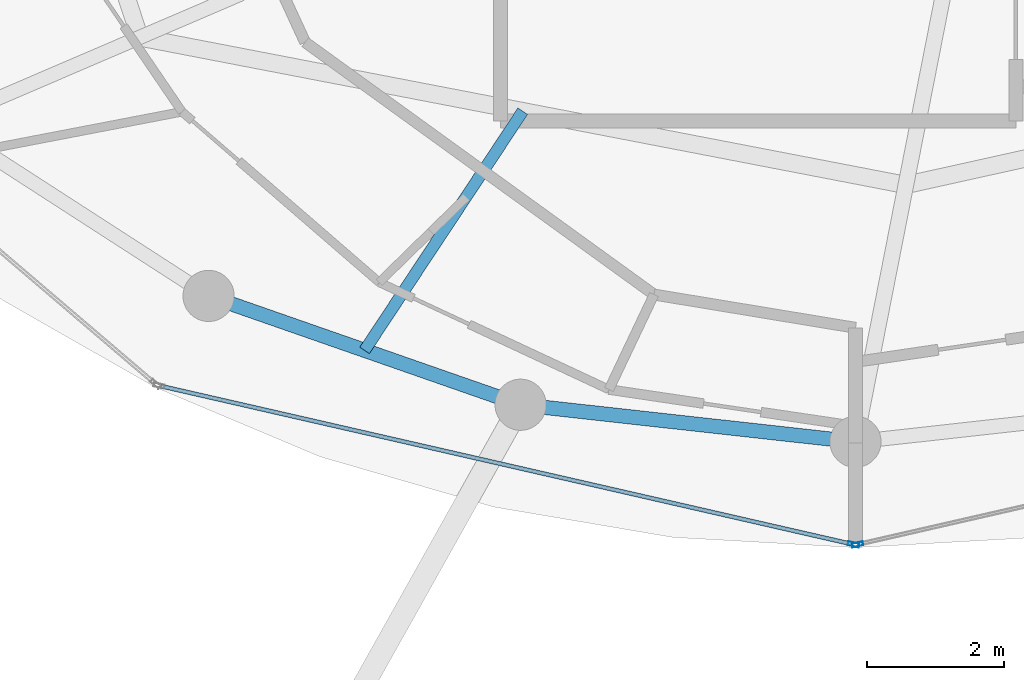
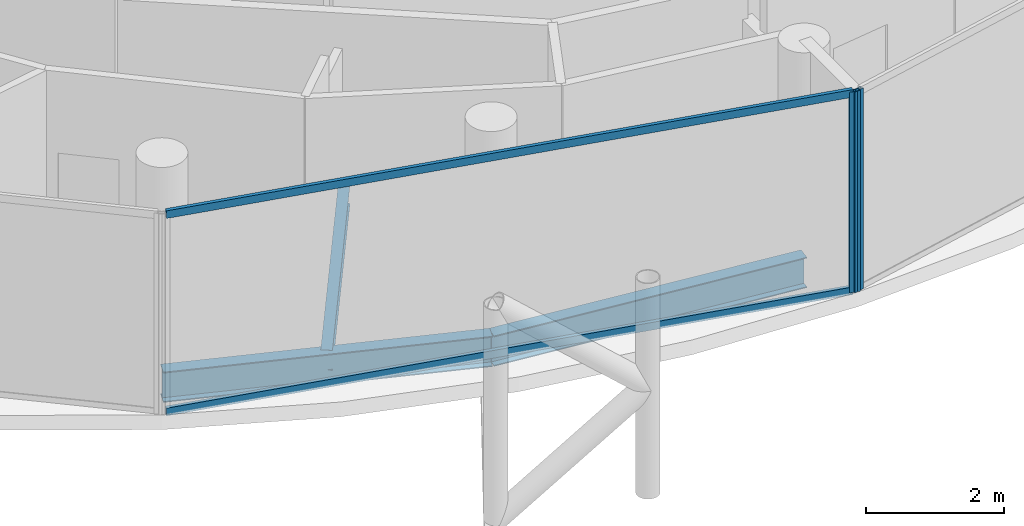
# One storey, part 4 of 24: 4 members, 3 beams, 2 elements without a shape of their own.
"""IFC4 building model written with IfcOpenShell, lengths in metres."""

from ifc_helpers import new_model, si_unit, direction, frame, origin, origin_2d, place, context, subcontext, project, spatial, hollow_rectangle, i_section, extrude, material, layer, layer_set, material_profile, profile_set, type_object, element, aggregate, save


model = new_model("IFC4")

# Units and contexts
model_context = context("Model", 3, precision=1e-05, world=origin(), true_north=direction((0.0, 1.0)))
body_context = subcontext(model_context, "Body", "Model", "MODEL_VIEW")
ifc_project = project(units=[si_unit("LENGTHUNIT", "METRE"), si_unit("AREAUNIT", "SQUARE_METRE"), si_unit("VOLUMEUNIT", "CUBIC_METRE"), si_unit("PLANEANGLEUNIT", "RADIAN"), si_unit("MASSUNIT", "GRAM", prefix="KILO")], contexts=[model_context])

# Site, building, storey
site_placement = place(None, origin())
site = spatial("IfcSite", under=ifc_project, at=site_placement, CompositionType="ELEMENT")
building_placement = place(site_placement, origin())
building = spatial("IfcBuilding", under=site, at=building_placement, Name="Nuhasar Tower", CompositionType="ELEMENT")
storey_placement = place(building_placement, frame((0.0, 0.0, 293.60009765625)))
storey = spatial("IfcBuildingStorey", under=building, at=storey_placement, Name="L73", CompositionType="ELEMENT", Elevation=293.60009765625)

# Beams
ifc_material_1 = material(Name="Steel S355", Category="steel")
ifc_material_profile_1 = material_profile(ifc_material_1, i_section(OverallWidth=0.1708984375, OverallDepth=0.35205078125, WebThickness=0.0068359375, FlangeThickness=0.009765625, at=origin_2d()), Name="W14X30")
ifc_profile_set_1 = profile_set([ifc_material_profile_1], Name="Steel S355")
beam_type_1 = type_object("IfcBeamType", Name="BM-JST-W14X30", PredefinedType="JOIST", material=ifc_profile_set_1)
beam_1_placement = place(storey_placement, frame((34.126953125, 15.693115234375, -0.43603515625), z_axis=(-0.551638003526, -0.834083636733, 0.0), x_axis=(0.834083636733, -0.551638003526, 0.0)))
element("IfcBeam", 1, at=beam_1_placement, inside=storey, type_object=beam_type_1, Name="L73 Secondary Floor Joist 01", PredefinedType="JOIST", context=body_context, shape_type="SweptSolid", body=[
    extrude(i_section(OverallWidth=0.1708984375, OverallDepth=0.35205078125, WebThickness=0.0068359375, FlangeThickness=0.009765625, at=origin_2d()), origin(), (0.0, 0.0, 1.0), 4.199951171875),
])
ifc_material_profile_2 = material_profile(ifc_material_1, i_section(OverallWidth=0.2099609375, OverallDepth=0.537109375, WebThickness=0.010986328125, FlangeThickness=0.017333984375, at=origin_2d()), Name="W21X68")
ifc_profile_set_2 = profile_set([ifc_material_profile_2], Name="Steel S355")
beam_type_2 = type_object("IfcBeamType", Name="BM-RING-W21X68", PredefinedType="SPANDREL", material=ifc_profile_set_2)
beam_2_placement = place(storey_placement, frame((29.52490234375, 12.987060546875, -0.529052734375), z_axis=(0.944214043504, -0.329332415729, 0.0), x_axis=(0.329332415729, 0.944214043504, 0.0)))
element("IfcBeam", 2, at=beam_2_placement, inside=storey, type_object=beam_type_2, Name="L73 Perimeter Ring Spandrel 17", PredefinedType="SPANDREL", context=body_context, shape_type="SweptSolid", body=[
    extrude(i_section(OverallWidth=0.2099609375, OverallDepth=0.537109375, WebThickness=0.010986328125, FlangeThickness=0.017333984375, at=origin_2d()), origin(), (0.0, 0.0, 1.0), 4.840087890625),
])
beam_3_placement = place(storey_placement, frame((34.094970703125, 11.39306640625, -0.529052734375), z_axis=(0.99392889943, -0.110024283128, 0.0), x_axis=(0.110024283128, 0.99392889943, 0.0)))
element("IfcBeam", 3, at=beam_3_placement, inside=storey, type_object=beam_type_2, Name="L73 Perimeter Ring Spandrel 18", PredefinedType="SPANDREL", context=body_context, shape_type="SweptSolid", body=[
    extrude(i_section(OverallWidth=0.2099609375, OverallDepth=0.537109375, WebThickness=0.010986328125, FlangeThickness=0.017333984375, at=origin_2d()), origin(), (0.0, 0.0, 1.0), 4.93505859375),
])

# Curtain wall, member
ifc_material_2 = material(Name="Aluminium 6063-T6", Category="aluminium")
ifc_layer = layer(ifc_material_2, 0.18994140625)
ifc_layer_set = layer_set([ifc_layer], Name="Aluminium 6063-T6")
curtain_wall_type = type_object("IfcCurtainWallType", Name="CW-Z4-PEN", PredefinedType="NOTDEFINED", material=ifc_layer_set)
curtain_wall_1_placement = place(storey_placement, origin())
curtain_wall_1 = element("IfcCurtainWall", 4, at=curtain_wall_1_placement, inside=storey, type_object=curtain_wall_type, Name="L73 Unitised Curtain Wall 09", PredefinedType="NOTDEFINED")
ifc_material_profile_3 = material_profile(ifc_material_2, hollow_rectangle(XDim=0.06005859375, YDim=0.1650390625, WallThickness=0.0048828125, at=origin_2d()), Name="CWM-5")
ifc_profile_set_3 = profile_set([ifc_material_profile_3], Name="Aluminium 6063-T6")
member_type_1 = type_object("IfcMemberType", Name="CW-MUL-S5", PredefinedType="MULLION", material=ifc_profile_set_3)
member_1_placement = place(storey_placement, frame((38.970703125, 9.3466796875, 0.0), z_axis=(0.0, 0.0, 1.0), x_axis=(0.222889487645, 0.97484371891, 0.0)))
member_1 = element("IfcMember", 5, at=member_1_placement, type_object=member_type_1, Name="CW-Z4 mullion 2", PredefinedType="MULLION", context=body_context, shape_type="SweptSolid", body=[
    extrude(hollow_rectangle(XDim=0.06005859375, YDim=0.1650390625, WallThickness=0.0048828125, at=origin_2d()), origin(), (0.0, 0.0, 1.0), 3.539794921875),
])

curtain_wall_2_placement = place(storey_placement, origin())
curtain_wall_2 = element("IfcCurtainWall", 6, at=curtain_wall_2_placement, inside=storey, type_object=curtain_wall_type, Name="L73 Unitised Curtain Wall 10", PredefinedType="NOTDEFINED")
member_2_placement = place(storey_placement, frame((39.029296875, 9.3466796875, 0.0), z_axis=(0.0, 0.0, 1.0), x_axis=(-0.222889487645, 0.97484371891, 0.0)))
member_2 = element("IfcMember", 7, at=member_2_placement, type_object=member_type_1, Name="CW-Z4 mullion 1", PredefinedType="MULLION", context=body_context, shape_type="SweptSolid", body=[
    extrude(hollow_rectangle(XDim=0.06005859375, YDim=0.1650390625, WallThickness=0.0048828125, at=origin_2d()), origin(), (0.0, 0.0, 1.0), 3.539794921875),
])
aggregate(curtain_wall_2, [member_2])

# Member
ifc_material_profile_4 = material_profile(ifc_material_2, hollow_rectangle(XDim=0.06005859375, YDim=0.135009765625, WallThickness=0.00439453125, at=origin_2d()), Name="CWT-5")
ifc_profile_set_4 = profile_set([ifc_material_profile_4], Name="Aluminium 6063-T6")
member_type_2 = type_object("IfcMemberType", Name="CW-TRN-S5", PredefinedType="USERDEFINED", material=ifc_profile_set_4)
member_3_placement = place(storey_placement, frame((28.828369140625, 11.66552734375, 0.02978515625), z_axis=(0.974843752401, -0.222889341163, 0.0), x_axis=(0.222889341163, 0.974843752401, 0.0)))
member_3 = element("IfcMember", 8, at=member_3_placement, type_object=member_type_2, Name="CW-Z4 transom 1.1", ObjectType="TRANSOM", PredefinedType="USERDEFINED", context=body_context, shape_type="SweptSolid", body=[
    extrude(hollow_rectangle(XDim=0.06005859375, YDim=0.135009765625, WallThickness=0.00439453125, at=origin_2d()), origin(), (0.0, 0.0, 1.0), 10.3740234375),
])

member_4_placement = place(storey_placement, frame((28.828369140625, 11.66552734375, 3.510009765625), z_axis=(0.974843752401, -0.222889341163, 0.0), x_axis=(0.222889341163, 0.974843752401, 0.0)))
member_4 = element("IfcMember", 9, at=member_4_placement, type_object=member_type_2, Name="CW-Z4 transom 1.2", ObjectType="TRANSOM", PredefinedType="USERDEFINED", context=body_context, shape_type="SweptSolid", body=[
    extrude(hollow_rectangle(XDim=0.06005859375, YDim=0.135009765625, WallThickness=0.00439453125, at=origin_2d()), origin(), (0.0, 0.0, 1.0), 10.3740234375),
])

aggregate(curtain_wall_1, [member_1, member_3, member_4])

save(model, "model.ifc")
